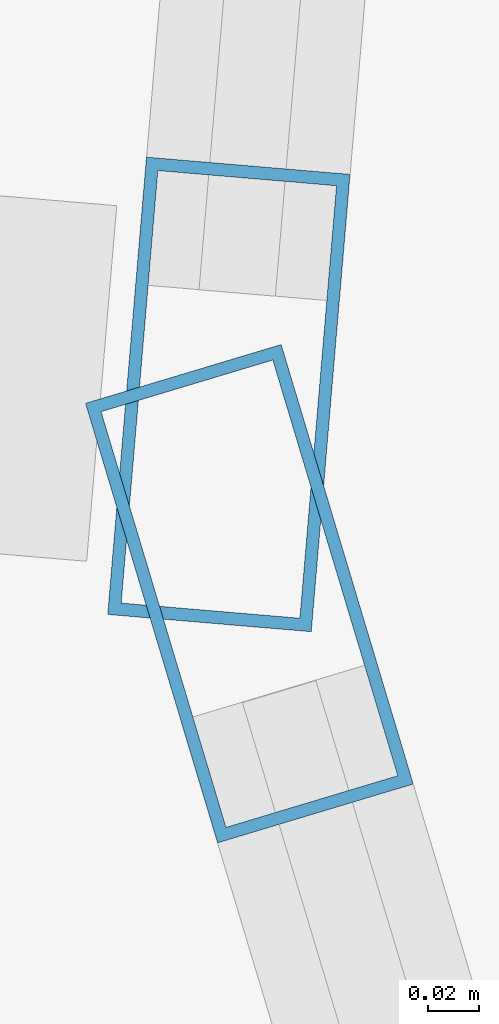
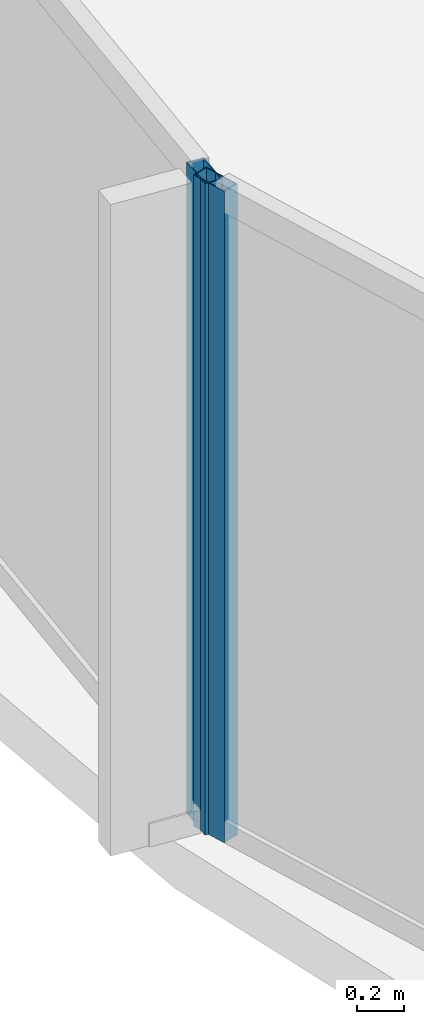
# One storey, part 8 of 30: 2 members, 2 elements without a shape of their own.
"""IFC4 building model written with IfcOpenShell, lengths in metres."""

from ifc_helpers import new_model, si_unit, direction, frame, origin, origin_2d, place, context, subcontext, project, spatial, hollow_rectangle, extrude, material, layer, layer_set, material_profile, profile_set, type_object, element, aggregate, save


model = new_model("IFC4")

# Units and contexts
model_context = context("Model", 3, precision=1e-05, world=origin(), true_north=direction((0.0, 1.0)))
body_context = subcontext(model_context, "Body", "Model", "MODEL_VIEW")
ifc_project = project(units=[si_unit("LENGTHUNIT", "METRE"), si_unit("AREAUNIT", "SQUARE_METRE"), si_unit("VOLUMEUNIT", "CUBIC_METRE"), si_unit("PLANEANGLEUNIT", "RADIAN"), si_unit("MASSUNIT", "GRAM", prefix="KILO")], contexts=[model_context])

# Site, building, storey
site_placement = place(None, origin())
site = spatial("IfcSite", under=ifc_project, at=site_placement, CompositionType="ELEMENT")
building_placement = place(site_placement, origin())
building = spatial("IfcBuilding", under=site, at=building_placement, Name="Kazevale Care Tower and Concert Hall", CompositionType="ELEMENT")
storey_placement = place(building_placement, frame((0.0, 0.0, 74.39990234375)))
storey = spatial("IfcBuildingStorey", under=building, at=storey_placement, Name="L19", CompositionType="ELEMENT", Elevation=74.39990234375)

# Curtain wall, member
ifc_material_1 = material(Name="Aluminium 6063-T6 and Low-E Glass", Category="aluminium")
ifc_layer = layer(ifc_material_1, 0.179931640625)
ifc_layer_set = layer_set([ifc_layer], Name="Aluminium 6063-T6 and Low-E Glass")
curtain_wall_type = type_object("IfcCurtainWallType", Name="Waist & Upper Residential Curtain Wall CW-4", PredefinedType="NOTDEFINED", material=ifc_layer_set)
curtain_wall_1_placement = place(storey_placement, origin())
curtain_wall_1 = element("IfcCurtainWall", 1, at=curtain_wall_1_placement, inside=storey, type_object=curtain_wall_type, Name="cw:L19:f12", PredefinedType="NOTDEFINED")
ifc_material_2 = material(Name="Aluminium 6063-T6", Category="aluminium")
ifc_material_profile = material_profile(ifc_material_2, hollow_rectangle(XDim=0.080078125, YDim=0.179931640625, WallThickness=0.0048828125, at=origin_2d()), Name="ALU80x180x5")
ifc_profile_set = profile_set([ifc_material_profile], Name="Aluminium 6063-T6")
member_type = type_object("IfcMemberType", Name="CW-4 Mullion ALU80x180x5", PredefinedType="MULLION", material=ifc_profile_set)
member_1_placement = place(storey_placement, frame((12.198486328125, 35.052734375, 0.0), z_axis=(0.0, 0.0, 1.0), x_axis=(-0.957661755703, -0.287895747909, 0.0)))
member_1 = element("IfcMember", 2, at=member_1_placement, type_object=member_type, Name="CW-4 mullion 2", PredefinedType="MULLION", context=body_context, shape_type="SweptSolid", body=[
    extrude(hollow_rectangle(XDim=0.080078125, YDim=0.179931640625, WallThickness=0.0048828125, at=origin_2d()), origin(), (0.0, 0.0, 1.0), 3.360107421875),
])
aggregate(curtain_wall_1, [member_1])

curtain_wall_2_placement = place(storey_placement, origin())
curtain_wall_2 = element("IfcCurtainWall", 3, at=curtain_wall_2_placement, inside=storey, type_object=curtain_wall_type, Name="cw:L19:f13", PredefinedType="NOTDEFINED")
member_2_placement = place(storey_placement, frame((12.1904296875, 35.130859375, 0.0), z_axis=(0.0, 0.0, 1.0), x_axis=(-0.996430849754, 0.084413041998, 0.0)))
member_2 = element("IfcMember", 4, at=member_2_placement, type_object=member_type, Name="CW-4 mullion 1", PredefinedType="MULLION", context=body_context, shape_type="SweptSolid", body=[
    extrude(hollow_rectangle(XDim=0.080078125, YDim=0.179931640625, WallThickness=0.0048828125, at=origin_2d()), origin(), (0.0, 0.0, 1.0), 3.360107421875),
])
aggregate(curtain_wall_2, [member_2])

save(model, "model.ifc")
